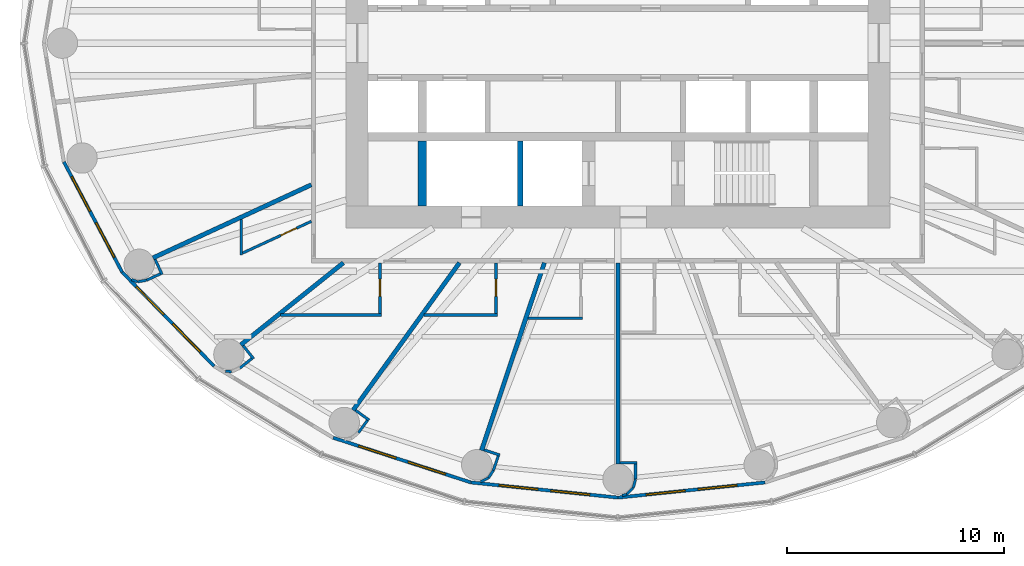
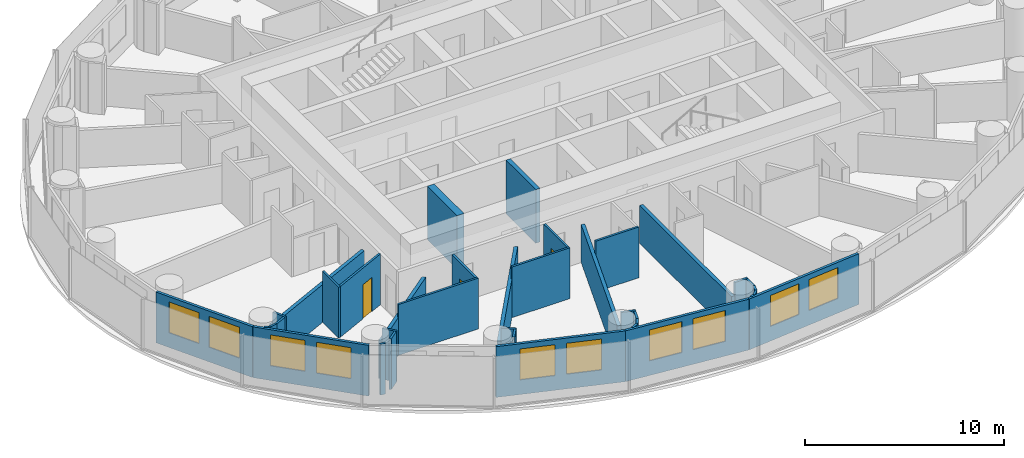
# One storey, part 6 of 14: 37 walls, 10 windows, 3 doors, 13 openings.
"""IFC4 building model written with IfcOpenShell, lengths in metres."""

from ifc_helpers import new_model, si_unit, direction, frame, frame_2d, origin, place, context, subcontext, project, spatial, rectangle, extrude, material, layer, layer_set, type_object, element, fill, save


model = new_model("IFC4")

# Units and contexts
model_context = context("Model", 3, precision=1e-05, world=origin(), true_north=direction((0.0, 1.0)))
body_context = subcontext(model_context, "Body", "Model", "MODEL_VIEW")
ifc_project = project(units=[si_unit("LENGTHUNIT", "METRE"), si_unit("AREAUNIT", "SQUARE_METRE"), si_unit("VOLUMEUNIT", "CUBIC_METRE"), si_unit("PLANEANGLEUNIT", "RADIAN"), si_unit("MASSUNIT", "GRAM", prefix="KILO")], contexts=[model_context])

# Site, building, storey
site_placement = place(None, origin())
site = spatial("IfcSite", under=ifc_project, at=site_placement, CompositionType="ELEMENT")
building_placement = place(site_placement, origin())
building = spatial("IfcBuilding", under=site, at=building_placement, Name="Hankou Lantern Tower", CompositionType="ELEMENT")
storey_placement = place(building_placement, frame((0.0, 0.0, 67.199951171875)))
storey = spatial("IfcBuildingStorey", under=building, at=storey_placement, Name="L16", CompositionType="ELEMENT", Elevation=67.199951171875)

# Wall
ifc_material_1 = material(Name="Concrete C60", Category="concrete")
ifc_layer_1 = layer(ifc_material_1, 0.39990234375)
ifc_layer_set_1 = layer_set([ifc_layer_1], Name="Concrete C60")
wall_type_1 = type_object("IfcWallType", Name="CW4 CORE CROSS WALL 400", PredefinedType="SHEAR", material=ifc_layer_set_1)
wall_1_placement = place(storey_placement, frame((-9.0, -7.5, 0.0), z_axis=(0.0, 0.0, 1.0), x_axis=(0.0, 1.0, 0.0)))
element("IfcWall", 1, at=wall_1_placement, inside=storey, type_object=wall_type_1, Name="Core strip wall L16", PredefinedType="SHEAR", context=body_context, shape_type="SweptSolid", body=[
    extrude(rectangle(XDim=3.0, YDim=0.39990234375, at=frame_2d((1.5, 0.0))), origin(), (0.0, 0.0, 1.0), 3.300048828125),
])

# Wall, openings, windows
ifc_material_2 = material(Name="Aluminium spandrel panel on steel studs", Category="steel")
ifc_layer_2 = layer(ifc_material_2, 0.14990234375)
ifc_layer_set_2 = layer_set([ifc_layer_2], Name="Aluminium spandrel panel on steel studs")
wall_type_2 = type_object("IfcWallType", Name="EW1 INNER SKIN WALL 150", PredefinedType="ELEMENTEDWALL", material=ifc_layer_set_2)
wall_2_placement = place(storey_placement, frame((-25.482421875, -5.46240234375, 0.0), z_axis=(0.0, 0.0, 1.0), x_axis=(0.467296867008, -0.884100468321, 0.0)))
wall_2 = element("IfcWall", 2, at=wall_2_placement, inside=storey, type_object=wall_type_2, Name="Inner skin R14-R15 L16", PredefinedType="ELEMENTEDWALL", context=body_context, shape_type="SweptSolid", body=[
    extrude(rectangle(XDim=5.734375, YDim=0.14990234375, at=frame_2d((2.8671875, 0.0))), origin(), (0.0, 0.0, 1.0), 3.1201171875),
])
opening_1_placement = place(wall_2_placement, frame((0.76708984375, 0.0, 0.89990234375)))
opening_1 = element("IfcOpeningElement", 3, at=opening_1_placement, cuts=wall_2, Name="Opening W1", PredefinedType="OPENING", context=body_context, shape_type="SweptSolid", body=[
    extrude(rectangle(XDim=1.800048828125, YDim=1.89990234375, at=frame_2d((0.89990234375, 0.949951171875))), frame((0.0, 0.0849609375, 0.0), z_axis=(0.0, -1.0, 0.0), x_axis=(1.0, 0.0, 0.0)), (0.0, 0.0, 1.0), 0.169921875),
])
opening_2_placement = place(wall_2_placement, frame((3.167236328125, 0.0, 0.89990234375)))
opening_2 = element("IfcOpeningElement", 4, at=opening_2_placement, cuts=wall_2, Name="Opening W1", PredefinedType="OPENING", context=body_context, shape_type="SweptSolid", body=[
    extrude(rectangle(XDim=1.800048828125, YDim=1.89990234375, at=frame_2d((0.89990234375, 0.949951171875))), frame((0.0, 0.0849609375, 0.0), z_axis=(0.0, -1.0, 0.0), x_axis=(1.0, 0.0, 0.0)), (0.0, 0.0, 1.0), 0.169921875),
])
ifc_material_3 = material(Name="Aluminium framed double glazed window", Category="aluminium")
window_type = type_object("IfcWindowType", Name="W1 GUEST ROOM WINDOW 1800X1900", PartitioningType="DOUBLE_PANEL_VERTICAL", PredefinedType="WINDOW", material=ifc_material_3)
window_1_placement = place(opening_1_placement, origin())
window_1 = element("IfcWindow", 5, at=window_1_placement, inside=storey, type_object=window_type, Name="Window R14.1 L16", OverallHeight=1.89990234375, OverallWidth=1.800048828125, PartitioningType="SINGLE_PANEL", PredefinedType="WINDOW", context=body_context, shape_type="SweptSolid", body=[
    extrude(rectangle(XDim=1.800048828125, YDim=1.89990234375, at=frame_2d((0.89990234375, 0.949951171875))), frame((0.0, 0.030029296875, 0.0), z_axis=(0.0, -1.0, 0.0), x_axis=(1.0, 0.0, 0.0)), (0.0, 0.0, 1.0), 0.06005859375),
])
fill(opening_1, window_1)
window_2_placement = place(opening_2_placement, origin())
window_2 = element("IfcWindow", 6, at=window_2_placement, inside=storey, type_object=window_type, Name="Window R14.2 L16", OverallHeight=1.89990234375, OverallWidth=1.800048828125, PartitioningType="SINGLE_PANEL", PredefinedType="WINDOW", context=body_context, shape_type="SweptSolid", body=[
    extrude(rectangle(XDim=1.800048828125, YDim=1.89990234375, at=frame_2d((0.89990234375, 0.949951171875))), frame((0.0, 0.030029296875, 0.0), z_axis=(0.0, -1.0, 0.0), x_axis=(1.0, 0.0, 0.0)), (0.0, 0.0, 1.0), 0.06005859375),
])
fill(opening_2, window_2)

wall_3_placement = place(storey_placement, frame((-22.802734375, -10.5322265625, 0.0), z_axis=(0.0, 0.0, 1.0), x_axis=(0.699602905915, -0.714531856557, 0.0)))
wall_3 = element("IfcWall", 7, at=wall_3_placement, inside=storey, type_object=wall_type_2, Name="Inner skin R15-R16 L16", PredefinedType="ELEMENTEDWALL", context=body_context, shape_type="SweptSolid", body=[
    extrude(rectangle(XDim=6.05078125, YDim=0.14990234375, at=frame_2d((3.025390625, 0.0))), origin(), (0.0, 0.0, 1.0), 3.1201171875),
])
opening_3_placement = place(wall_3_placement, frame((0.925537109375, 0.0, 0.89990234375)))
opening_3 = element("IfcOpeningElement", 8, at=opening_3_placement, cuts=wall_3, Name="Opening W1", PredefinedType="OPENING", context=body_context, shape_type="SweptSolid", body=[
    extrude(rectangle(XDim=1.800048828125, YDim=1.89990234375, at=frame_2d((0.89990234375, 0.949951171875))), frame((0.0, 0.0849609375, 0.0), z_axis=(0.0, -1.0, 0.0), x_axis=(1.0, 0.0, 0.0)), (0.0, 0.0, 1.0), 0.169921875),
])
opening_4_placement = place(wall_3_placement, frame((3.325439453125, 0.0, 0.89990234375)))
opening_4 = element("IfcOpeningElement", 9, at=opening_4_placement, cuts=wall_3, Name="Opening W1", PredefinedType="OPENING", context=body_context, shape_type="SweptSolid", body=[
    extrude(rectangle(XDim=1.800048828125, YDim=1.89990234375, at=frame_2d((0.89990234375, 0.949951171875))), frame((0.0, 0.0849609375, 0.0), z_axis=(0.0, -1.0, 0.0), x_axis=(1.0, 0.0, 0.0)), (0.0, 0.0, 1.0), 0.169921875),
])
window_3_placement = place(opening_3_placement, origin())
window_3 = element("IfcWindow", 10, at=window_3_placement, inside=storey, type_object=window_type, Name="Window R15.1 L16", OverallHeight=1.89990234375, OverallWidth=1.800048828125, PartitioningType="SINGLE_PANEL", PredefinedType="WINDOW", context=body_context, shape_type="SweptSolid", body=[
    extrude(rectangle(XDim=1.800048828125, YDim=1.89990234375, at=frame_2d((0.89990234375, 0.949951171875))), frame((0.0, 0.030029296875, 0.0), z_axis=(0.0, -1.0, 0.0), x_axis=(1.0, 0.0, 0.0)), (0.0, 0.0, 1.0), 0.06005859375),
])
fill(opening_3, window_3)
window_4_placement = place(opening_4_placement, origin())
window_4 = element("IfcWindow", 11, at=window_4_placement, inside=storey, type_object=window_type, Name="Window R15.2 L16", OverallHeight=1.89990234375, OverallWidth=1.800048828125, PartitioningType="SINGLE_PANEL", PredefinedType="WINDOW", context=body_context, shape_type="SweptSolid", body=[
    extrude(rectangle(XDim=1.800048828125, YDim=1.89990234375, at=frame_2d((0.89990234375, 0.949951171875))), frame((0.0, 0.030029296875, 0.0), z_axis=(0.0, -1.0, 0.0), x_axis=(1.0, 0.0, 0.0)), (0.0, 0.0, 1.0), 0.06005859375),
])
fill(opening_4, window_4)

wall_4_placement = place(storey_placement, frame((-13.096435546875, -18.14697265625, 0.0), z_axis=(0.0, 0.0, 1.0), x_axis=(0.951137534625, -0.308767534285, 0.0)))
wall_4 = element("IfcWall", 12, at=wall_4_placement, inside=storey, type_object=wall_type_2, Name="Inner skin R17-R18 L16", PredefinedType="ELEMENTEDWALL", context=body_context, shape_type="SweptSolid", body=[
    extrude(rectangle(XDim=6.6552734375, YDim=0.14990234375, at=frame_2d((3.32763671875, 0.0))), origin(), (0.0, 0.0, 1.0), 3.1201171875),
])
opening_5_placement = place(wall_4_placement, frame((1.2275390625, 0.0, 0.89990234375)))
opening_5 = element("IfcOpeningElement", 13, at=opening_5_placement, cuts=wall_4, Name="Opening W1", PredefinedType="OPENING", context=body_context, shape_type="SweptSolid", body=[
    extrude(rectangle(XDim=1.800048828125, YDim=1.89990234375, at=frame_2d((0.89990234375, 0.949951171875))), frame((0.0, 0.0849609375, 0.0), z_axis=(0.0, -1.0, 0.0), x_axis=(1.0, 0.0, 0.0)), (0.0, 0.0, 1.0), 0.169921875),
])
opening_6_placement = place(wall_4_placement, frame((3.627685546875, 0.0, 0.89990234375)))
opening_6 = element("IfcOpeningElement", 14, at=opening_6_placement, cuts=wall_4, Name="Opening W1", PredefinedType="OPENING", context=body_context, shape_type="SweptSolid", body=[
    extrude(rectangle(XDim=1.800048828125, YDim=1.89990234375, at=frame_2d((0.89990234375, 0.949951171875))), frame((0.0, 0.0849609375, 0.0), z_axis=(0.0, -1.0, 0.0), x_axis=(1.0, 0.0, 0.0)), (0.0, 0.0, 1.0), 0.169921875),
])
window_5_placement = place(opening_5_placement, origin())
window_5 = element("IfcWindow", 15, at=window_5_placement, inside=storey, type_object=window_type, Name="Window R17.1 L16", OverallHeight=1.89990234375, OverallWidth=1.800048828125, PartitioningType="SINGLE_PANEL", PredefinedType="WINDOW", context=body_context, shape_type="SweptSolid", body=[
    extrude(rectangle(XDim=1.800048828125, YDim=1.89990234375, at=frame_2d((0.89990234375, 0.949951171875))), frame((0.0, 0.030029296875, 0.0), z_axis=(0.0, -1.0, 0.0), x_axis=(1.0, 0.0, 0.0)), (0.0, 0.0, 1.0), 0.06005859375),
])
fill(opening_5, window_5)
window_6_placement = place(opening_6_placement, origin())
window_6 = element("IfcWindow", 16, at=window_6_placement, inside=storey, type_object=window_type, Name="Window R17.2 L16", OverallHeight=1.89990234375, OverallWidth=1.800048828125, PartitioningType="SINGLE_PANEL", PredefinedType="WINDOW", context=body_context, shape_type="SweptSolid", body=[
    extrude(rectangle(XDim=1.800048828125, YDim=1.89990234375, at=frame_2d((0.89990234375, 0.949951171875))), frame((0.0, 0.030029296875, 0.0), z_axis=(0.0, -1.0, 0.0), x_axis=(1.0, 0.0, 0.0)), (0.0, 0.0, 1.0), 0.06005859375),
])
fill(opening_6, window_6)

wall_5_placement = place(storey_placement, frame((-6.766357421875, -20.201904296875, 0.0), z_axis=(0.0, 0.0, 1.0), x_axis=(0.994721394369, -0.102612609291, 0.0)))
wall_5 = element("IfcWall", 17, at=wall_5_placement, inside=storey, type_object=wall_type_2, Name="Inner skin R18-R19 L16", PredefinedType="ELEMENTEDWALL", context=body_context, shape_type="SweptSolid", body=[
    extrude(rectangle(XDim=6.80224609375, YDim=0.14990234375, at=frame_2d((3.401123046875, 0.0))), origin(), (0.0, 0.0, 1.0), 3.1201171875),
])
opening_7_placement = place(wall_5_placement, frame((1.301025390625, 0.0, 0.89990234375)))
opening_7 = element("IfcOpeningElement", 18, at=opening_7_placement, cuts=wall_5, Name="Opening W1", PredefinedType="OPENING", context=body_context, shape_type="SweptSolid", body=[
    extrude(rectangle(XDim=1.800048828125, YDim=1.89990234375, at=frame_2d((0.89990234375, 0.949951171875))), frame((0.0, 0.0849609375, 0.0), z_axis=(0.0, -1.0, 0.0), x_axis=(1.0, 0.0, 0.0)), (0.0, 0.0, 1.0), 0.169921875),
])
opening_8_placement = place(wall_5_placement, frame((3.701171875, 0.0, 0.89990234375)))
opening_8 = element("IfcOpeningElement", 19, at=opening_8_placement, cuts=wall_5, Name="Opening W1", PredefinedType="OPENING", context=body_context, shape_type="SweptSolid", body=[
    extrude(rectangle(XDim=1.800048828125, YDim=1.89990234375, at=frame_2d((0.89990234375, 0.949951171875))), frame((0.0, 0.0849609375, 0.0), z_axis=(0.0, -1.0, 0.0), x_axis=(1.0, 0.0, 0.0)), (0.0, 0.0, 1.0), 0.169921875),
])
window_7_placement = place(opening_7_placement, origin())
window_7 = element("IfcWindow", 20, at=window_7_placement, inside=storey, type_object=window_type, Name="Window R18.1 L16", OverallHeight=1.89990234375, OverallWidth=1.800048828125, PartitioningType="SINGLE_PANEL", PredefinedType="WINDOW", context=body_context, shape_type="SweptSolid", body=[
    extrude(rectangle(XDim=1.800048828125, YDim=1.89990234375, at=frame_2d((0.89990234375, 0.949951171875))), frame((0.0, 0.030029296875, 0.0), z_axis=(0.0, -1.0, 0.0), x_axis=(1.0, 0.0, 0.0)), (0.0, 0.0, 1.0), 0.06005859375),
])
fill(opening_7, window_7)
window_8_placement = place(opening_8_placement, origin())
window_8 = element("IfcWindow", 21, at=window_8_placement, inside=storey, type_object=window_type, Name="Window R18.2 L16", OverallHeight=1.89990234375, OverallWidth=1.800048828125, PartitioningType="SINGLE_PANEL", PredefinedType="WINDOW", context=body_context, shape_type="SweptSolid", body=[
    extrude(rectangle(XDim=1.800048828125, YDim=1.89990234375, at=frame_2d((0.89990234375, 0.949951171875))), frame((0.0, 0.030029296875, 0.0), z_axis=(0.0, -1.0, 0.0), x_axis=(1.0, 0.0, 0.0)), (0.0, 0.0, 1.0), 0.06005859375),
])
fill(opening_8, window_8)

wall_6_placement = place(storey_placement, frame((0.0, -20.89990234375, 0.0), z_axis=(0.0, 0.0, 1.0), x_axis=(0.994721394369, 0.102612609291, 0.0)))
wall_6 = element("IfcWall", 22, at=wall_6_placement, inside=storey, type_object=wall_type_2, Name="Inner skin R19-R20 L16", PredefinedType="ELEMENTEDWALL", context=body_context, shape_type="SweptSolid", body=[
    extrude(rectangle(XDim=6.80224609375, YDim=0.14990234375, at=frame_2d((3.401123046875, 0.0))), origin(), (0.0, 0.0, 1.0), 3.1201171875),
])
opening_9_placement = place(wall_6_placement, frame((1.301025390625, 0.0, 0.89990234375)))
opening_9 = element("IfcOpeningElement", 23, at=opening_9_placement, cuts=wall_6, Name="Opening W1", PredefinedType="OPENING", context=body_context, shape_type="SweptSolid", body=[
    extrude(rectangle(XDim=1.800048828125, YDim=1.89990234375, at=frame_2d((0.89990234375, 0.949951171875))), frame((0.0, 0.0849609375, 0.0), z_axis=(0.0, -1.0, 0.0), x_axis=(1.0, 0.0, 0.0)), (0.0, 0.0, 1.0), 0.169921875),
])
opening_10_placement = place(wall_6_placement, frame((3.701171875, 0.0, 0.89990234375)))
opening_10 = element("IfcOpeningElement", 24, at=opening_10_placement, cuts=wall_6, Name="Opening W1", PredefinedType="OPENING", context=body_context, shape_type="SweptSolid", body=[
    extrude(rectangle(XDim=1.800048828125, YDim=1.89990234375, at=frame_2d((0.89990234375, 0.949951171875))), frame((0.0, 0.0849609375, 0.0), z_axis=(0.0, -1.0, 0.0), x_axis=(1.0, 0.0, 0.0)), (0.0, 0.0, 1.0), 0.169921875),
])
window_9_placement = place(opening_9_placement, origin())
window_9 = element("IfcWindow", 25, at=window_9_placement, inside=storey, type_object=window_type, Name="Window R19.1 L16", OverallHeight=1.89990234375, OverallWidth=1.800048828125, PartitioningType="SINGLE_PANEL", PredefinedType="WINDOW", context=body_context, shape_type="SweptSolid", body=[
    extrude(rectangle(XDim=1.800048828125, YDim=1.89990234375, at=frame_2d((0.89990234375, 0.949951171875))), frame((0.0, 0.030029296875, 0.0), z_axis=(0.0, -1.0, 0.0), x_axis=(1.0, 0.0, 0.0)), (0.0, 0.0, 1.0), 0.06005859375),
])
fill(opening_9, window_9)
window_10_placement = place(opening_10_placement, origin())
window_10 = element("IfcWindow", 26, at=window_10_placement, inside=storey, type_object=window_type, Name="Window R19.2 L16", OverallHeight=1.89990234375, OverallWidth=1.800048828125, PartitioningType="SINGLE_PANEL", PredefinedType="WINDOW", context=body_context, shape_type="SweptSolid", body=[
    extrude(rectangle(XDim=1.800048828125, YDim=1.89990234375, at=frame_2d((0.89990234375, 0.949951171875))), frame((0.0, 0.030029296875, 0.0), z_axis=(0.0, -1.0, 0.0), x_axis=(1.0, 0.0, 0.0)), (0.0, 0.0, 1.0), 0.06005859375),
])
fill(opening_10, window_10)

# Walls
ifc_material_4 = material(Name="Masonry lightweight concrete block", Category="masonry")
ifc_layer_3 = layer(ifc_material_4, 0.199951171875)
ifc_layer_set_3 = layer_set([ifc_layer_3], Name="Masonry lightweight concrete block")
wall_type_3 = type_object("IfcWallType", Name="IW1 GUEST ROOM PARTY WALL 200", PredefinedType="PARTITIONING", material=ifc_layer_set_3)
wall_7_placement = place(storey_placement, frame((-14.10009765625, -6.512451171875, 0.0), z_axis=(0.0, 0.0, 1.0), x_axis=(-0.907832871056, -0.419332181247, 0.0)))
element("IfcWall", 27, at=wall_7_placement, inside=storey, type_object=wall_type_3, Name="Party wall R15", PredefinedType="PARTITIONING", context=body_context, shape_type="SweptSolid", body=[
    extrude(rectangle(XDim=8.02294921875, YDim=0.199951171875, at=frame_2d((4.011474609375, 0.0))), origin(), (0.0, 0.0, 1.0), 2.320068359375),
])
wall_8_placement = place(storey_placement, frame((-12.625, -10.10009765625, 0.0), z_axis=(0.0, 0.0, 1.0), x_axis=(-0.780892451574, -0.624665493744, 0.0)))
element("IfcWall", 28, at=wall_8_placement, inside=storey, type_object=wall_type_3, Name="Party wall R16", PredefinedType="PARTITIONING", context=body_context, shape_type="SweptSolid", body=[
    extrude(rectangle(XDim=6.044677734375, YDim=0.199951171875, at=frame_2d((3.0224609375, 0.0))), origin(), (0.0, 0.0, 1.0), 2.320068359375),
])
wall_9_placement = place(storey_placement, frame((-7.2890625, -10.10009765625, 0.0), z_axis=(0.0, 0.0, 1.0), x_axis=(-0.585198353053, -0.810890182197, 0.0)))
element("IfcWall", 29, at=wall_9_placement, inside=storey, type_object=wall_type_3, Name="Party wall R17", PredefinedType="PARTITIONING", context=body_context, shape_type="SweptSolid", body=[
    extrude(rectangle(XDim=8.359619140625, YDim=0.199951171875, at=frame_2d((4.1796875, 0.0))), origin(), (0.0, 0.0, 1.0), 2.320068359375),
])
wall_10_placement = place(storey_placement, frame((-3.3828125, -10.10009765625, 0.0), z_axis=(0.0, 0.0, 1.0), x_axis=(-0.31759592231, -0.948226149256, 0.0)))
element("IfcWall", 30, at=wall_10_placement, inside=storey, type_object=wall_type_3, Name="Party wall R18", PredefinedType="PARTITIONING", context=body_context, shape_type="SweptSolid", body=[
    extrude(rectangle(XDim=9.098388671875, YDim=0.199951171875, at=frame_2d((4.54931640625, 0.0))), origin(), (0.0, 0.0, 1.0), 2.320068359375),
])
wall_11_placement = place(storey_placement, frame((0.0, -10.10009765625, 0.0), z_axis=(0.0, 0.0, 1.0), x_axis=(0.0, -1.0, 0.0)))
element("IfcWall", 31, at=wall_11_placement, inside=storey, type_object=wall_type_3, Name="Party wall R19", PredefinedType="PARTITIONING", context=body_context, shape_type="SweptSolid", body=[
    extrude(rectangle(XDim=9.25, YDim=0.199951171875, at=frame_2d((4.625, 0.0))), origin(), (0.0, 0.0, 1.0), 2.320068359375),
])
ifc_material_5 = material(Name="Masonry lightweight concrete block", Category="masonry")
ifc_layer_4 = layer(ifc_material_5, 0.1201171875)
ifc_layer_set_4 = layer_set([ifc_layer_4], Name="Masonry lightweight concrete block")
wall_type_4 = type_object("IfcWallType", Name="IW3 BATHROOM WALL 120", PredefinedType="PARTITIONING", material=ifc_layer_set_4)
wall_12_placement = place(storey_placement, frame((-17.32275390625, -8.10107421875, 0.0), z_axis=(0.0, 0.0, 1.0), x_axis=(0.0, -1.0, 0.0)))
element("IfcWall", 32, at=wall_12_placement, inside=storey, type_object=wall_type_4, Name="Box wall 1614 1", PredefinedType="PARTITIONING", context=body_context, shape_type="SweptSolid", body=[
    extrude(rectangle(XDim=1.639892578125, YDim=0.1201171875, at=frame_2d((0.81982421875, 0.0))), origin(), (0.0, 0.0, 1.0), 3.1201171875),
])

# Wall, opening, door
wall_13_placement = place(storey_placement, frame((-14.10009765625, -8.192626953125, 0.0), z_axis=(0.0, 0.0, 1.0), x_axis=(-0.907836493557, -0.419324338628, 0.0)))
wall_13 = element("IfcWall", 33, at=wall_13_placement, inside=storey, type_object=wall_type_4, Name="Box wall 1614 1", PredefinedType="PARTITIONING", context=body_context, shape_type="SweptSolid", body=[
    extrude(rectangle(XDim=3.48974609375, YDim=0.1201171875, at=frame_2d((1.744873046875, 0.0))), origin(), (0.0, 0.0, 1.0), 3.1201171875),
])
opening_11_placement = place(wall_13_placement, frame((0.75, 0.0, 0.0)))
opening_11 = element("IfcOpeningElement", 34, at=opening_11_placement, cuts=wall_13, Name="Opening D3", PredefinedType="OPENING", context=body_context, shape_type="SweptSolid", body=[
    extrude(rectangle(XDim=0.800048828125, YDim=2.10009765625, at=frame_2d((0.39990234375, 1.050048828125))), frame((0.0, 0.070068359375, 0.0), z_axis=(0.0, -1.0, 0.0), x_axis=(1.0, 0.0, 0.0)), (0.0, 0.0, 1.0), 0.14013671875),
])
ifc_material_6 = material(Name="Timber door leaf", Category="wood")
door_type = type_object("IfcDoorType", Name="D3 BATHROOM DOOR 800X2100", OperationType="SINGLE_SWING_LEFT", PredefinedType="DOOR", material=ifc_material_6)
door_1_placement = place(opening_11_placement, origin())
door_1 = element("IfcDoor", 35, at=door_1_placement, inside=storey, type_object=door_type, Name="En-suite bathroom 1614 door", OperationType="SINGLE_SWING_LEFT", OverallHeight=2.10009765625, OverallWidth=0.800048828125, PredefinedType="DOOR", context=body_context, shape_type="SweptSolid", body=[
    extrude(rectangle(XDim=0.800048828125, YDim=2.10009765625, at=frame_2d((0.39990234375, 1.050048828125))), frame((0.0, 0.02490234375, 0.0), z_axis=(0.0, -1.0, 0.0), x_axis=(1.0, 0.0, 0.0)), (0.0, 0.0, 1.0), 0.050048828125),
])
fill(opening_11, door_1)

# Wall
wall_14_placement = place(storey_placement, frame((-15.52490234375, -12.5, 0.0), z_axis=(0.0, 0.0, 1.0), x_axis=(1.0, 0.0, 0.0)))
element("IfcWall", 36, at=wall_14_placement, inside=storey, type_object=wall_type_4, Name="Box wall 1615 1", PredefinedType="PARTITIONING", context=body_context, shape_type="SweptSolid", body=[
    extrude(rectangle(XDim=4.639892578125, YDim=0.1201171875, at=frame_2d((2.31982421875, 0.0))), origin(), (0.0, 0.0, 1.0), 3.1201171875),
])

# Wall, opening, door
wall_15_placement = place(storey_placement, frame((-10.945068359375, -10.10009765625, 0.0), z_axis=(0.0, 0.0, 1.0), x_axis=(0.0, -1.0, 0.0)))
wall_15 = element("IfcWall", 37, at=wall_15_placement, inside=storey, type_object=wall_type_4, Name="Box wall 1615 1", PredefinedType="PARTITIONING", context=body_context, shape_type="SweptSolid", body=[
    extrude(rectangle(XDim=2.33984375, YDim=0.1201171875, at=frame_2d((1.169921875, 0.0))), origin(), (0.0, 0.0, 1.0), 3.1201171875),
])
opening_12_placement = place(wall_15_placement, frame((0.75, 0.0, 0.0)))
opening_12 = element("IfcOpeningElement", 38, at=opening_12_placement, cuts=wall_15, Name="Opening D3", PredefinedType="OPENING", context=body_context, shape_type="SweptSolid", body=[
    extrude(rectangle(XDim=0.800048828125, YDim=2.10009765625, at=frame_2d((0.39990234375, 1.050048828125))), frame((0.0, 0.070068359375, 0.0), z_axis=(0.0, -1.0, 0.0), x_axis=(1.0, 0.0, 0.0)), (0.0, 0.0, 1.0), 0.14013671875),
])
door_2_placement = place(opening_12_placement, origin())
door_2 = element("IfcDoor", 39, at=door_2_placement, inside=storey, type_object=door_type, Name="En-suite bathroom 1615 door", OperationType="SINGLE_SWING_LEFT", OverallHeight=2.10009765625, OverallWidth=0.800048828125, PredefinedType="DOOR", context=body_context, shape_type="SweptSolid", body=[
    extrude(rectangle(XDim=0.800048828125, YDim=2.10009765625, at=frame_2d((0.39990234375, 1.050048828125))), frame((0.0, 0.02490234375, 0.0), z_axis=(0.0, -1.0, 0.0), x_axis=(1.0, 0.0, 0.0)), (0.0, 0.0, 1.0), 0.050048828125),
])
fill(opening_12, door_2)

# Wall
wall_16_placement = place(storey_placement, frame((-8.921142578125, -12.5, 0.0), z_axis=(0.0, 0.0, 1.0), x_axis=(1.0, 0.0, 0.0)))
element("IfcWall", 40, at=wall_16_placement, inside=storey, type_object=wall_type_4, Name="Box wall 1616 1", PredefinedType="PARTITIONING", context=body_context, shape_type="SweptSolid", body=[
    extrude(rectangle(XDim=3.3720703125, YDim=0.1201171875, at=frame_2d((1.68603515625, 0.0))), origin(), (0.0, 0.0, 1.0), 3.1201171875),
])

# Wall, opening, door
wall_17_placement = place(storey_placement, frame((-5.609130859375, -10.10009765625, 0.0), z_axis=(0.0, 0.0, 1.0), x_axis=(0.0, -1.0, 0.0)))
wall_17 = element("IfcWall", 41, at=wall_17_placement, inside=storey, type_object=wall_type_4, Name="Box wall 1616 1", PredefinedType="PARTITIONING", context=body_context, shape_type="SweptSolid", body=[
    extrude(rectangle(XDim=2.33984375, YDim=0.1201171875, at=frame_2d((1.169921875, 0.0))), origin(), (0.0, 0.0, 1.0), 3.1201171875),
])
opening_13_placement = place(wall_17_placement, frame((0.75, 0.0, 0.0)))
opening_13 = element("IfcOpeningElement", 42, at=opening_13_placement, cuts=wall_17, Name="Opening D3", PredefinedType="OPENING", context=body_context, shape_type="SweptSolid", body=[
    extrude(rectangle(XDim=0.800048828125, YDim=2.10009765625, at=frame_2d((0.39990234375, 1.050048828125))), frame((0.0, 0.070068359375, 0.0), z_axis=(0.0, -1.0, 0.0), x_axis=(1.0, 0.0, 0.0)), (0.0, 0.0, 1.0), 0.14013671875),
])
door_3_placement = place(opening_13_placement, origin())
door_3 = element("IfcDoor", 43, at=door_3_placement, inside=storey, type_object=door_type, Name="En-suite bathroom 1616 door", OperationType="SINGLE_SWING_LEFT", OverallHeight=2.10009765625, OverallWidth=0.800048828125, PredefinedType="DOOR", context=body_context, shape_type="SweptSolid", body=[
    extrude(rectangle(XDim=0.800048828125, YDim=2.10009765625, at=frame_2d((0.39990234375, 1.050048828125))), frame((0.0, 0.02490234375, 0.0), z_axis=(0.0, -1.0, 0.0), x_axis=(1.0, 0.0, 0.0)), (0.0, 0.0, 1.0), 0.050048828125),
])
fill(opening_13, door_3)

# Walls
wall_18_placement = place(storey_placement, frame((-4.136962890625, -12.64990234375, 0.0), z_axis=(0.0, 0.0, 1.0), x_axis=(1.0, 0.0, 0.0)))
element("IfcWall", 44, at=wall_18_placement, inside=storey, type_object=wall_type_4, Name="Box wall 1617 1", PredefinedType="PARTITIONING", context=body_context, shape_type="SweptSolid", body=[
    extrude(rectangle(XDim=2.494140625, YDim=0.1201171875, at=frame_2d((1.2470703125, 0.0))), origin(), (0.0, 0.0, 1.0), 3.1201171875),
])
ifc_material_7 = material(Name="Masonry lightweight concrete block", Category="masonry")
ifc_layer_5 = layer(ifc_material_7, 0.1201171875)
ifc_layer_set_5 = layer_set([ifc_layer_5], Name="Masonry lightweight concrete block")
wall_type_5 = type_object("IfcWallType", Name="IW4 PARTITION 120", PredefinedType="PARTITIONING", material=ifc_layer_set_5)
wall_19_placement = place(storey_placement, frame((-21.287109375, -9.9423828125, 0.0), z_axis=(0.0, 0.0, 1.0), x_axis=(0.419259891039, -0.907866258744, 0.0)))
element("IfcWall", 45, at=wall_19_placement, inside=storey, type_object=wall_type_5, Name="Column casing R15 return", PredefinedType="PARTITIONING", context=body_context, shape_type="SweptSolid", body=[
    extrude(rectangle(XDim=0.767578125, YDim=0.1201171875, at=frame_2d((0.3837890625, 0.0))), origin(), (0.0, 0.0, 1.0), 3.1201171875),
])
wall_20_placement = place(storey_placement, frame((-21.044921875, -10.60986328125, 0.0), z_axis=(0.0, 0.0, 1.0), x_axis=(-0.907877701396, -0.419235112208, 0.0)))
element("IfcWall", 46, at=wall_20_placement, inside=storey, type_object=wall_type_5, Name="Column casing R15", PredefinedType="PARTITIONING", context=body_context, shape_type="SweptSolid", body=[
    extrude(rectangle(XDim=0.699951171875, YDim=0.1201171875, at=frame_2d((0.35009765625, 0.0))), origin(), (0.0, 0.0, 1.0), 3.1201171875),
])
wall_21_placement = place(storey_placement, frame((-21.680419921875, -10.9033203125, 0.0), z_axis=(0.0, 0.0, 1.0), x_axis=(-0.985446622073, -0.169985161247, 0.0)))
element("IfcWall", 47, at=wall_21_placement, inside=storey, type_object=wall_type_5, Name="Column casing R15", PredefinedType="PARTITIONING", context=body_context, shape_type="SweptSolid", body=[
    extrude(rectangle(XDim=0.41796875, YDim=0.1201171875, at=frame_2d((0.208984375, 0.0))), origin(), (0.0, 0.0, 1.0), 3.1201171875),
])
wall_22_placement = place(storey_placement, frame((-22.09228515625, -10.974365234375, 0.0), z_axis=(0.0, 0.0, 1.0), x_axis=(-0.938428160676, 0.345474437912, 0.0)))
element("IfcWall", 48, at=wall_22_placement, inside=storey, type_object=wall_type_5, Name="Column casing R15", PredefinedType="PARTITIONING", context=body_context, shape_type="SweptSolid", body=[
    extrude(rectangle(XDim=0.2939453125, YDim=0.1201171875, at=frame_2d((0.14697265625, 0.0))), origin(), (0.0, 0.0, 1.0), 3.1201171875),
])
wall_23_placement = place(storey_placement, frame((-17.23583984375, -13.916748046875, 0.0), z_axis=(0.0, 0.0, 1.0), x_axis=(0.624695047554, -0.780868809443, 0.0)))
element("IfcWall", 49, at=wall_23_placement, inside=storey, type_object=wall_type_5, Name="Column casing R16 return", PredefinedType="PARTITIONING", context=body_context, shape_type="SweptSolid", body=[
    extrude(rectangle(XDim=0.767578125, YDim=0.1201171875, at=frame_2d((0.3837890625, 0.0))), origin(), (0.0, 0.0, 1.0), 3.1201171875),
])
wall_24_placement = place(storey_placement, frame((-16.840576171875, -14.506591796875, 0.0), z_axis=(0.0, 0.0, 1.0), x_axis=(-0.780902834923, -0.62465251333, 0.0)))
element("IfcWall", 50, at=wall_24_placement, inside=storey, type_object=wall_type_5, Name="Column casing R16", PredefinedType="PARTITIONING", context=body_context, shape_type="SweptSolid", body=[
    extrude(rectangle(XDim=0.699951171875, YDim=0.1201171875, at=frame_2d((0.35009765625, 0.0))), origin(), (0.0, 0.0, 1.0), 3.1201171875),
])
wall_25_placement = place(storey_placement, frame((-17.770263671875, -15.111572265625, 0.0), z_axis=(0.0, 0.0, 1.0), x_axis=(-0.993904401174, 0.110245368731, 0.0)))
element("IfcWall", 51, at=wall_25_placement, inside=storey, type_object=wall_type_5, Name="Column casing R16", PredefinedType="PARTITIONING", context=body_context, shape_type="SweptSolid", body=[
    extrude(rectangle(XDim=0.287841796875, YDim=0.1201171875, at=frame_2d((0.14404296875, 0.0))), origin(), (0.0, 0.0, 1.0), 3.1201171875),
])
wall_26_placement = place(storey_placement, frame((-12.06494140625, -16.888671875, 0.0), z_axis=(0.0, 0.0, 1.0), x_axis=(0.810821798253, -0.585293098778, 0.0)))
element("IfcWall", 52, at=wall_26_placement, inside=storey, type_object=wall_type_5, Name="Column casing R17 return", PredefinedType="PARTITIONING", context=body_context, shape_type="SweptSolid", body=[
    extrude(rectangle(XDim=0.767578125, YDim=0.1201171875, at=frame_2d((0.3837890625, 0.0))), origin(), (0.0, 0.0, 1.0), 3.1201171875),
])
wall_27_placement = place(storey_placement, frame((-11.5263671875, -17.351318359375, 0.0), z_axis=(0.0, 0.0, 1.0), x_axis=(-0.585223113993, -0.810872312296, 0.0)))
element("IfcWall", 53, at=wall_27_placement, inside=storey, type_object=wall_type_5, Name="Column casing R17", PredefinedType="PARTITIONING", context=body_context, shape_type="SweptSolid", body=[
    extrude(rectangle(XDim=0.699951171875, YDim=0.1201171875, at=frame_2d((0.35009765625, 0.0))), origin(), (0.0, 0.0, 1.0), 3.1201171875),
])
wall_28_placement = place(storey_placement, frame((-6.15869140625, -18.702392578125, 0.0), z_axis=(0.0, 0.0, 1.0), x_axis=(0.948173154049, -0.31775410295, 0.0)))
element("IfcWall", 54, at=wall_28_placement, inside=storey, type_object=wall_type_5, Name="Column casing R18 return", PredefinedType="PARTITIONING", context=body_context, shape_type="SweptSolid", body=[
    extrude(rectangle(XDim=0.767578125, YDim=0.1201171875, at=frame_2d((0.3837890625, 0.0))), origin(), (0.0, 0.0, 1.0), 3.1201171875),
])
wall_29_placement = place(storey_placement, frame((-5.5068359375, -18.984130859375, 0.0), z_axis=(0.0, 0.0, 1.0), x_axis=(-0.317692050622, -0.948193946918, 0.0)))
element("IfcWall", 55, at=wall_29_placement, inside=storey, type_object=wall_type_5, Name="Column casing R18", PredefinedType="PARTITIONING", context=body_context, shape_type="SweptSolid", body=[
    extrude(rectangle(XDim=0.7001953125, YDim=0.1201171875, at=frame_2d((0.35009765625, 0.0))), origin(), (0.0, 0.0, 1.0), 3.1201171875),
])
wall_30_placement = place(storey_placement, frame((-5.729248046875, -19.64794921875, 0.0), z_axis=(0.0, 0.0, 1.0), x_axis=(-0.552135764955, -0.833754218615, 0.0)))
element("IfcWall", 56, at=wall_30_placement, inside=storey, type_object=wall_type_5, Name="Column casing R18", PredefinedType="PARTITIONING", context=body_context, shape_type="SweptSolid", body=[
    extrude(rectangle(XDim=0.41796875, YDim=0.1201171875, at=frame_2d((0.208984375, 0.0))), origin(), (0.0, 0.0, 1.0), 3.1201171875),
])
wall_31_placement = place(storey_placement, frame((-5.9599609375, -19.996337890625, 0.0), z_axis=(0.0, 0.0, 1.0), x_axis=(-0.895160725913, -0.445743507842, 0.0)))
element("IfcWall", 57, at=wall_31_placement, inside=storey, type_object=wall_type_5, Name="Column casing R18", PredefinedType="PARTITIONING", context=body_context, shape_type="SweptSolid", body=[
    extrude(rectangle(XDim=0.398681640625, YDim=0.1201171875, at=frame_2d((0.19921875, 0.0))), origin(), (0.0, 0.0, 1.0), 3.1201171875),
])
wall_32_placement = place(storey_placement, frame((0.10009765625, -19.2900390625, 0.0), z_axis=(0.0, 0.0, 1.0), x_axis=(1.0, 0.0, 0.0)))
element("IfcWall", 58, at=wall_32_placement, inside=storey, type_object=wall_type_5, Name="Column casing R19 return", PredefinedType="PARTITIONING", context=body_context, shape_type="SweptSolid", body=[
    extrude(rectangle(XDim=0.767333984375, YDim=0.1201171875, at=frame_2d((0.3837890625, 0.0))), origin(), (0.0, 0.0, 1.0), 3.1201171875),
])
wall_33_placement = place(storey_placement, frame((0.8076171875, -19.35009765625, 0.0), z_axis=(0.0, 0.0, 1.0), x_axis=(0.0, -1.0, 0.0)))
element("IfcWall", 59, at=wall_33_placement, inside=storey, type_object=wall_type_5, Name="Column casing R19", PredefinedType="PARTITIONING", context=body_context, shape_type="SweptSolid", body=[
    extrude(rectangle(XDim=0.699951171875, YDim=0.1201171875, at=frame_2d((0.35009765625, 0.0))), origin(), (0.0, 0.0, 1.0), 3.1201171875),
])
wall_34_placement = place(storey_placement, frame((0.8076171875, -20.050048828125, 0.0), z_axis=(0.0, 0.0, 1.0), x_axis=(-0.2592614205, -0.965807183573, 0.0)))
element("IfcWall", 60, at=wall_34_placement, inside=storey, type_object=wall_type_5, Name="Column casing R19", PredefinedType="PARTITIONING", context=body_context, shape_type="SweptSolid", body=[
    extrude(rectangle(XDim=0.418212890625, YDim=0.1201171875, at=frame_2d((0.208984375, 0.0))), origin(), (0.0, 0.0, 1.0), 3.1201171875),
])
wall_35_placement = place(storey_placement, frame((0.69921875, -20.453857421875, 0.0), z_axis=(0.0, 0.0, 1.0), x_axis=(-0.707106781187, -0.707106781187, 0.0)))
element("IfcWall", 61, at=wall_35_placement, inside=storey, type_object=wall_type_5, Name="Column casing R19", PredefinedType="PARTITIONING", context=body_context, shape_type="SweptSolid", body=[
    extrude(rectangle(XDim=0.417724609375, YDim=0.1201171875, at=frame_2d((0.208984375, 0.0))), origin(), (0.0, 0.0, 1.0), 3.1201171875),
])
wall_36_placement = place(storey_placement, frame((0.40380859375, -20.749267578125, 0.0), z_axis=(0.0, 0.0, 1.0), x_axis=(-0.965759066438, -0.25944060128, 0.0)))
element("IfcWall", 62, at=wall_36_placement, inside=storey, type_object=wall_type_5, Name="Column casing R19", PredefinedType="PARTITIONING", context=body_context, shape_type="SweptSolid", body=[
    extrude(rectangle(XDim=0.213623046875, YDim=0.1201171875, at=frame_2d((0.10693359375, 0.0))), origin(), (0.0, 0.0, 1.0), 3.1201171875),
])
ifc_material_8 = material(Name="Masonry autoclaved aerated concrete block", Category="masonry")
ifc_layer_6 = layer(ifc_material_8, 0.25)
ifc_layer_set_6 = layer_set([ifc_layer_6], Name="Masonry autoclaved aerated concrete block")
wall_type_6 = type_object("IfcWallType", Name="SW1 SHAFT BLOCK WALL 250", PredefinedType="PARTITIONING", material=ifc_layer_set_6)
wall_37_placement = place(storey_placement, frame((-4.5, -7.5, 0.0), z_axis=(0.0, 0.0, 1.0), x_axis=(0.0, 1.0, 0.0)))
element("IfcWall", 63, at=wall_37_placement, inside=storey, type_object=wall_type_6, Name="Riser wall L16", PredefinedType="PARTITIONING", context=body_context, shape_type="SweptSolid", body=[
    extrude(rectangle(XDim=3.0, YDim=0.25, at=frame_2d((1.5, 0.0))), origin(), (0.0, 0.0, 1.0), 3.300048828125),
])

save(model, "model.ifc")
